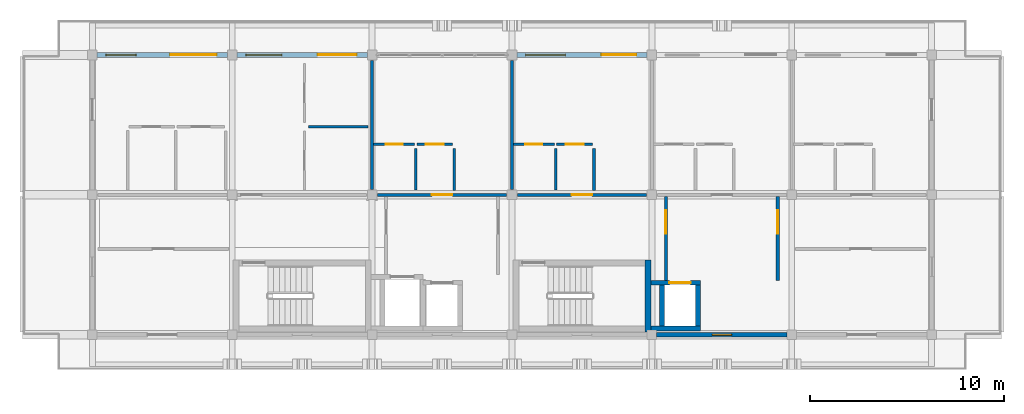
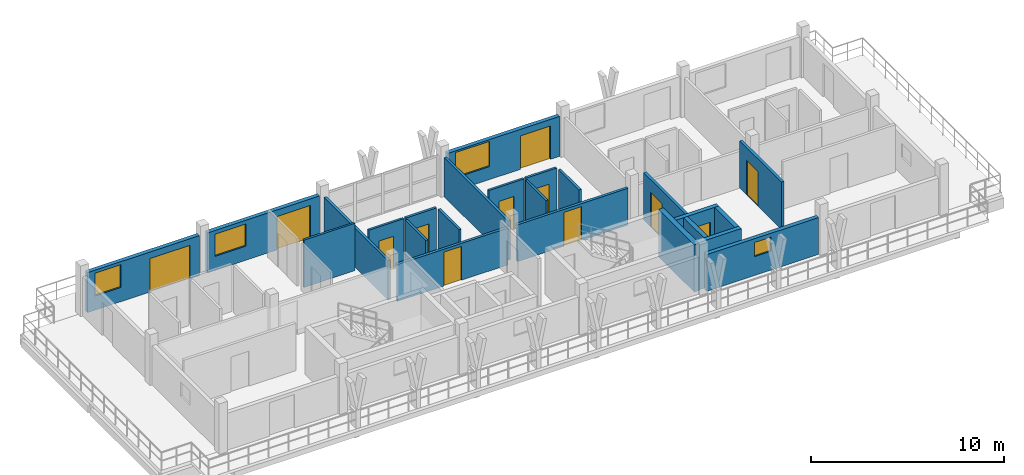
# One storey, part 5 of 9: 24 walls, 12 doors, 4 windows, 16 openings.
"""IFC4 building model written with IfcOpenShell, lengths in metres."""

import ifcopenshell
import ifcopenshell.guid

model = None  # the IFC model being written
_history = None  # IfcOwnerHistory: only IFC2X3 demands one
_inside = {}  # id of a spatial element -> (the spatial element, [elements in it])
_under = {}  # id of a project, library or spatial element -> (it, [spatial elements below it])
_declared = {}  # id of a project -> (the project, [libraries it declares])
_typed = {}  # id of a type object -> (the type object, [elements of that type])
_made_of = {}  # id of a material, layer set ... -> (it, [elements and type objects made of it])


def new_model(schema):
    """Start an empty IFC model of exactly this schema.

    Asked for "IFC4X3", IfcOpenShell would pick the latest addendum, in which some entities
    have other attributes; the version numbers below select the first issue.
    IFC2X3 requires an IfcOwnerHistory on every rooted entity: one is made here for all.
    """
    global model, _history
    if schema == "IFC4X3":
        model = ifcopenshell.file(schema_version=(4, 3, 0, 0))
    else:
        model = ifcopenshell.file(schema=schema)
    _inside.clear()
    _under.clear()
    _declared.clear()
    _typed.clear()
    _made_of.clear()
    _history = None
    if model.schema == "IFC2X3":
        org = make("IfcOrganization", Name="unknown")
        user = make(
            "IfcPersonAndOrganization",
            ThePerson=make("IfcPerson", FamilyName="unknown"),
            TheOrganization=org,
        )
        app = make(
            "IfcApplication",
            ApplicationDeveloper=org,
            Version="unknown",
            ApplicationFullName="unknown",
            ApplicationIdentifier="unknown",
        )
        _history = make(
            "IfcOwnerHistory",
            OwningUser=user,
            OwningApplication=app,
            ChangeAction="ADDED",
            CreationDate=0,
        )
    return model


def make(cls, **values):
    """One entity of the class cls with the attributes given. An attribute that is None is left unset."""
    return model.create_entity(
        cls, **{name: value for name, value in values.items() if value is not None}
    )


def rooted(cls, **values):
    """An entity with a GlobalId (a new one), such as an element, a storey or a relation."""
    return make(cls, GlobalId=ifcopenshell.guid.new(), OwnerHistory=_history, **values)


def si_unit(unit_type, name, prefix=None):
    """IfcSIUnit, for example si_unit("LENGTHUNIT", "METRE", prefix="MILLI")."""
    return make("IfcSIUnit", UnitType=unit_type, Prefix=prefix, Name=name)


def assignment(units):
    """IfcUnitAssignment: the units of a project."""
    return None if units is None else make("IfcUnitAssignment", Units=units)


def point(xyz):
    """IfcCartesianPoint."""
    return None if xyz is None else make("IfcCartesianPoint", Coordinates=xyz)


def direction(xyz):
    """IfcDirection."""
    return None if xyz is None else make("IfcDirection", DirectionRatios=xyz)


def frame(location, z_axis=None, x_axis=None):
    """IfcAxis2Placement3D, a coordinate frame: its origin and axes. An axis left out is left unset."""
    return make(
        "IfcAxis2Placement3D",
        Location=point(location),
        Axis=direction(z_axis),
        RefDirection=direction(x_axis),
    )


def frame_2d(location, x_axis=None):
    """IfcAxis2Placement2D, a coordinate frame in the plane: its origin and x axis."""
    return make(
        "IfcAxis2Placement2D", Location=point(location), RefDirection=direction(x_axis)
    )


def origin():
    """The frame at (0, 0, 0) with its axes left unset."""
    return frame((0.0, 0.0, 0.0))


def place(relative_to, where):
    """IfcLocalPlacement: puts the frame where relative to a parent placement (None: the world)."""
    return make(
        "IfcLocalPlacement", PlacementRelTo=relative_to, RelativePlacement=where
    )


def context(
    kind, dimensions, precision=None, world=None, true_north=None, identifier=None
):
    """IfcGeometricRepresentationContext, for example the 3D "Model" context."""
    return make(
        "IfcGeometricRepresentationContext",
        ContextIdentifier=identifier,
        ContextType=kind,
        CoordinateSpaceDimension=dimensions,
        Precision=precision,
        WorldCoordinateSystem=world,
        TrueNorth=true_north,
    )


def subcontext(parent, identifier, kind, view, scale=None):
    """IfcGeometricRepresentationSubContext, for example "Body" below "Model"."""
    return make(
        "IfcGeometricRepresentationSubContext",
        ContextIdentifier=identifier,
        ContextType=kind,
        ParentContext=parent,
        TargetScale=scale,
        TargetView=view,
    )


def project(units=None, contexts=None):
    """IfcProject with its units and contexts."""
    return rooted(
        "IfcProject",
        Name="project",
        RepresentationContexts=contexts,
        UnitsInContext=assignment(units),
    )


def spatial(cls, under=None, at=None, **own):
    """A site, building, storey or space (cls), placed at a placement, below another one or the project."""
    s = rooted(cls, ObjectPlacement=at, **own)
    if under is not None:
        _under.setdefault(under.id(), (under, []))[1].append(s)
    return s


def profile(cls, at=None, kind="AREA", **sizes):
    """A parametric profile (cls). Its sizes go by their IFC names, for example OverallWidth=200.0."""
    return make(cls, ProfileType=kind, Position=at, **sizes)


def rectangle(**sizes):
    """IfcRectangleProfileDef."""
    return profile("IfcRectangleProfileDef", **sizes)


def extrude(swept, where, along, depth):
    """IfcExtrudedAreaSolid: the profile swept, set in the frame where, extruded along a direction by depth."""
    return make(
        "IfcExtrudedAreaSolid",
        SweptArea=swept,
        Position=where,
        ExtrudedDirection=direction(along),
        Depth=depth,
    )


def shape(context_of_items, identifier, shape_type, items):
    """IfcShapeRepresentation: the items that make up one representation, for example the "Body"."""
    return make(
        "IfcShapeRepresentation",
        ContextOfItems=context_of_items,
        RepresentationIdentifier=identifier,
        RepresentationType=shape_type,
        Items=items,
    )


def material(Name=None, Category=None):
    """IfcMaterial."""
    return make("IfcMaterial", Name=Name, Category=Category)


def layer(
    of_material, thickness, ventilated=None, Name=None, Category=None, Priority=None
):
    """IfcMaterialLayer: one layer of a wall or slab, of a material (None: an air gap)."""
    return make(
        "IfcMaterialLayer",
        Material=of_material,
        LayerThickness=thickness,
        IsVentilated=ventilated,
        Name=Name,
        Category=Category,
        Priority=Priority,
    )


def layer_set(layers, Name=None):
    """IfcMaterialLayerSet."""
    return make("IfcMaterialLayerSet", MaterialLayers=layers, LayerSetName=Name)


def made_of(thing, what):
    """Note that an element or type object is made of a material, layer set ...; save() writes the relation."""
    if what is not None:
        _made_of.setdefault(what.id(), (what, []))[1].append(thing)
    return thing


def type_object(cls, material=None, **own):
    """A type object (cls), such as IfcWallType, which elements share."""
    return made_of(rooted(cls, **own), material)


def element(
    cls,
    number,
    at=None,
    inside=None,
    cuts=None,
    type_object=None,
    material=None,
    context=None,
    identifier="Body",
    shape_type=None,
    held_by="IfcProductDefinitionShape",
    body=None,
    shapes=None,
    **own,
):
    """One element of the class cls, such as IfcWall. Its Tag is "e" and its number.

    at: its placement. inside: the storey or other place that contains it. cuts: it is an
    opening in that element (IfcRelVoidsElement). A single representation is given by context,
    identifier, shape_type and body (its items); several are given by shapes. held_by: the class
    of the entity that holds the representations. save() writes the other relations.
    """
    e = rooted(cls, Tag="e%d" % number, ObjectPlacement=at, **own)
    if body is not None:
        shapes = [shape(context, identifier, shape_type, body)]
    if shapes is not None:
        e.Representation = make(held_by, Representations=shapes)
    if inside is not None:
        _inside.setdefault(inside.id(), (inside, []))[1].append(e)
    if cuts is not None:
        rooted(
            "IfcRelVoidsElement", RelatingBuildingElement=cuts, RelatedOpeningElement=e
        )
    if type_object is not None:
        _typed.setdefault(type_object.id(), (type_object, []))[1].append(e)
    return made_of(e, material)


def fill(opening, filler):
    """IfcRelFillsElement: the door or window that sits in an opening."""
    return rooted(
        "IfcRelFillsElement",
        RelatingOpeningElement=opening,
        RelatedBuildingElement=filler,
    )


def aggregate(whole, parts):
    """IfcRelAggregates: a whole, such as a stair, and the parts it consists of."""
    return rooted("IfcRelAggregates", RelatingObject=whole, RelatedObjects=parts)


def save(model, path):
    """Write the relations noted so far, then the file.

    IfcRelAggregates (storeys below a building ...), IfcRelContainedInSpatialStructure (elements
    in a storey), IfcRelDefinesByType, IfcRelAssociatesMaterial and IfcRelDeclares: one each for
    every whole, place, type object, material and project.
    """
    for whole, parts in _under.values():
        aggregate(whole, parts)
    for where, things in _inside.values():
        rooted(
            "IfcRelContainedInSpatialStructure",
            RelatedElements=things,
            RelatingStructure=where,
        )
    for kind, things in _typed.values():
        rooted("IfcRelDefinesByType", RelatedObjects=things, RelatingType=kind)
    for what, things in _made_of.values():
        rooted("IfcRelAssociatesMaterial", RelatedObjects=things, RelatingMaterial=what)
    for by, libraries in _declared.values():
        rooted("IfcRelDeclares", RelatingContext=by, RelatedDefinitions=libraries)
    model.write(path)


model = new_model("IFC4")

# Units and contexts
model_context = context("Model", 3, precision=1e-05, world=origin(), true_north=direction((0.0, 1.0)))
body_context = subcontext(model_context, "Body", "Model", "MODEL_VIEW")
ifc_project = project(units=[si_unit("LENGTHUNIT", "METRE"), si_unit("AREAUNIT", "SQUARE_METRE"), si_unit("VOLUMEUNIT", "CUBIC_METRE"), si_unit("PLANEANGLEUNIT", "RADIAN"), si_unit("MASSUNIT", "GRAM", prefix="KILO")], contexts=[model_context])

# Site, building, storey
site_placement = place(None, origin())
site = spatial("IfcSite", under=ifc_project, at=site_placement, CompositionType="ELEMENT")
building_placement = place(site_placement, origin())
building = spatial("IfcBuilding", under=site, at=building_placement, Name="Suanplinth Sawtooth Commons", CompositionType="ELEMENT")
storey_placement = place(building_placement, frame((0.0, 0.0, 47.699951171875)))
storey = spatial("IfcBuildingStorey", under=building, at=storey_placement, Name="L14", CompositionType="ELEMENT", Elevation=47.699951171875)

# Wall
ifc_material_1 = material(Name="Concrete C40/50", Category="concrete")
ifc_layer_1 = layer(ifc_material_1, 0.300048828125, Name="Standard RC stair and lift core wall 300mm")
ifc_layer_set_1 = layer_set([ifc_layer_1], Name="Concrete C40/50")
wall_type_1 = type_object("IfcWallType", Name="W-CR02", PredefinedType="SHEAR", material=ifc_layer_set_1)
wall_1_placement = place(storey_placement, frame((64.60009765625, 108.14990234375, 0.0), z_axis=(0.0, 0.0, 1.0), x_axis=(0.0, 1.0, 0.0)))
element("IfcWall", 1, at=wall_1_placement, inside=storey, type_object=wall_type_1, Name="W-L14-C-A2-STE", PredefinedType="SHEAR", context=body_context, shape_type="SweptSolid", body=[
    extrude(rectangle(XDim=3.7001953125, YDim=0.300048828125, at=frame_2d((1.85009765625, 0.0))), origin(), (0.0, 0.0, 1.0), 3.0),
])

# Wall, openings, door, window
ifc_material_2 = material(Name="Precast concrete C40/50", Category="concrete")
ifc_layer_2 = layer(ifc_material_2, 0.239990234375, Name="Upper insulated precast facade wall 240mm")
ifc_layer_set_2 = layer_set([ifc_layer_2], Name="Precast concrete C40/50")
wall_type_2 = type_object("IfcWallType", Name="W-EX03", PredefinedType="ELEMENTEDWALL", material=ifc_layer_set_2)
wall_2_placement = place(storey_placement, frame((36.25, 122.39990234375, 0.0), z_axis=(0.0, 0.0, 1.0), x_axis=(1.0, 0.0, 0.0)))
wall_2 = element("IfcWall", 2, at=wall_2_placement, inside=storey, type_object=wall_type_2, Name="Facade Wall W-L14-A-N-0", PredefinedType="ELEMENTEDWALL", context=body_context, shape_type="SweptSolid", body=[
    extrude(rectangle(XDim=6.699951171875, YDim=0.239990234375, at=frame_2d((3.35009765625, 0.0))), origin(), (0.0, 0.0, 1.0), 2.53515625),
])
opening_1_placement = place(wall_2_placement, frame((3.75, 0.0, 0.0)))
opening_1 = element("IfcOpeningElement", 3, at=opening_1_placement, cuts=wall_2, Name="Opening ED0845", PredefinedType="OPENING", context=body_context, shape_type="SweptSolid", body=[
    extrude(rectangle(XDim=2.39990234375, YDim=2.1201171875, at=frame_2d((1.199951171875, 1.06005859375))), frame((0.0, 0.134765625, 0.0), z_axis=(0.0, -1.0, 0.0), x_axis=(1.0, 0.0, 0.0)), (0.0, 0.0, 1.0), 0.269775390625),
])
opening_2_placement = place(wall_2_placement, frame((0.449951171875, 0.0, 0.89990234375)))
opening_2 = element("IfcOpeningElement", 4, at=opening_2_placement, cuts=wall_2, Name="Opening W0927", PredefinedType="OPENING", context=body_context, shape_type="SweptSolid", body=[
    extrude(rectangle(XDim=1.550048828125, YDim=1.449951171875, at=frame_2d((0.77490234375, 0.72509765625))), frame((0.0, 0.134765625, 0.0), z_axis=(0.0, -1.0, 0.0), x_axis=(1.0, 0.0, 0.0)), (0.0, 0.0, 1.0), 0.269775390625),
])
ifc_material_3 = material(Name="Anodized aluminium and low-E glass", Category="aluminium")
door_type_1 = type_object("IfcDoorType", Name="SD-04", OperationType="DOUBLE_DOOR_SLIDING", PredefinedType="DOOR", material=ifc_material_3)
door_1_placement = place(opening_1_placement, frame((2.39990234375, 0.0, 0.0), z_axis=(0.0, 0.0, 1.0), x_axis=(-1.0, 0.0, 0.0)))
door_1 = element("IfcDoor", 5, at=door_1_placement, inside=storey, type_object=door_type_1, Name="Balcony Sliding Door L14-A-N-0", OperationType="DOUBLE_DOOR_SLIDING", OverallHeight=2.1201171875, OverallWidth=2.39990234375, PredefinedType="DOOR", context=body_context, shape_type="SweptSolid", body=[
    extrude(rectangle(XDim=2.39990234375, YDim=2.1201171875, at=frame_2d((1.199951171875, 1.06005859375))), frame((0.0, 0.02490234375, 0.0), z_axis=(0.0, -1.0, 0.0), x_axis=(1.0, 0.0, 0.0)), (0.0, 0.0, 1.0), 0.050048828125),
])
fill(opening_1, door_1)
ifc_material_4 = material(Name="Thermally broken aluminium and low-E double glazing", Category="aluminium")
window_type_1 = type_object("IfcWindowType", Name="WN-22", PartitioningType="DOUBLE_PANEL_VERTICAL", PredefinedType="WINDOW", material=ifc_material_4)
window_1_placement = place(opening_2_placement, origin())
window_1 = element("IfcWindow", 6, at=window_1_placement, inside=storey, type_object=window_type_1, Name="Window L14-A-N-0", OverallHeight=1.449951171875, OverallWidth=1.550048828125, PartitioningType="DOUBLE_PANEL_VERTICAL", PredefinedType="WINDOW", context=body_context, shape_type="SweptSolid", body=[
    extrude(rectangle(XDim=1.550048828125, YDim=1.449951171875, at=frame_2d((0.77490234375, 0.72509765625))), frame((0.0, 0.030029296875, 0.0), z_axis=(0.0, -1.0, 0.0), x_axis=(1.0, 0.0, 0.0)), (0.0, 0.0, 1.0), 0.06005859375),
])
fill(opening_2, window_1)

wall_3_placement = place(storey_placement, frame((43.449951171875, 122.39990234375, 0.0), z_axis=(0.0, 0.0, 1.0), x_axis=(1.0, 0.0, 0.0)))
wall_3 = element("IfcWall", 7, at=wall_3_placement, inside=storey, type_object=wall_type_2, Name="Facade Wall W-L14-A-N-1", PredefinedType="ELEMENTEDWALL", context=body_context, shape_type="SweptSolid", body=[
    extrude(rectangle(XDim=6.699951171875, YDim=0.239990234375, at=frame_2d((3.35009765625, 0.0))), origin(), (0.0, 0.0, 1.0), 2.53515625),
])
opening_3_placement = place(wall_3_placement, frame((4.14990234375, 0.0, 0.0)))
opening_3 = element("IfcOpeningElement", 8, at=opening_3_placement, cuts=wall_3, Name="Opening ED0847", PredefinedType="OPENING", context=body_context, shape_type="SweptSolid", body=[
    extrude(rectangle(XDim=2.0, YDim=2.1201171875, at=frame_2d((1.0, 1.06005859375))), frame((0.0, 0.134765625, 0.0), z_axis=(0.0, -1.0, 0.0), x_axis=(1.0, 0.0, 0.0)), (0.0, 0.0, 1.0), 0.269775390625),
])
opening_4_placement = place(wall_3_placement, frame((0.449951171875, 0.0, 0.89990234375)))
opening_4 = element("IfcOpeningElement", 9, at=opening_4_placement, cuts=wall_3, Name="Opening W0928", PredefinedType="OPENING", context=body_context, shape_type="SweptSolid", body=[
    extrude(rectangle(XDim=1.85009765625, YDim=1.39990234375, at=frame_2d((0.925048828125, 0.699951171875))), frame((0.0, 0.134765625, 0.0), z_axis=(0.0, -1.0, 0.0), x_axis=(1.0, 0.0, 0.0)), (0.0, 0.0, 1.0), 0.269775390625),
])
door_type_2 = type_object("IfcDoorType", Name="SD-06", OperationType="DOUBLE_DOOR_SLIDING", PredefinedType="DOOR", material=ifc_material_3)
door_2_placement = place(opening_3_placement, frame((2.0, 0.0, 0.0), z_axis=(0.0, 0.0, 1.0), x_axis=(-1.0, 0.0, 0.0)))
door_2 = element("IfcDoor", 10, at=door_2_placement, inside=storey, type_object=door_type_2, Name="Balcony Sliding Door L14-A-N-1", OperationType="DOUBLE_DOOR_SLIDING", OverallHeight=2.1201171875, OverallWidth=2.0, PredefinedType="DOOR", context=body_context, shape_type="SweptSolid", body=[
    extrude(rectangle(XDim=2.0, YDim=2.1201171875, at=frame_2d((1.0, 1.06005859375))), frame((0.0, 0.02490234375, 0.0), z_axis=(0.0, -1.0, 0.0), x_axis=(1.0, 0.0, 0.0)), (0.0, 0.0, 1.0), 0.050048828125),
])
fill(opening_3, door_2)
window_type_2 = type_object("IfcWindowType", Name="WN-23", PartitioningType="DOUBLE_PANEL_VERTICAL", PredefinedType="WINDOW", material=ifc_material_4)
window_2_placement = place(opening_4_placement, origin())
window_2 = element("IfcWindow", 11, at=window_2_placement, inside=storey, type_object=window_type_2, Name="Window L14-A-N-1", OverallHeight=1.39990234375, OverallWidth=1.85009765625, PartitioningType="DOUBLE_PANEL_VERTICAL", PredefinedType="WINDOW", context=body_context, shape_type="SweptSolid", body=[
    extrude(rectangle(XDim=1.85009765625, YDim=1.39990234375, at=frame_2d((0.925048828125, 0.699951171875))), frame((0.0, 0.030029296875, 0.0), z_axis=(0.0, -1.0, 0.0), x_axis=(1.0, 0.0, 0.0)), (0.0, 0.0, 1.0), 0.06005859375),
])
fill(opening_4, window_2)

wall_4_placement = place(storey_placement, frame((57.85009765625, 122.39990234375, 0.0), z_axis=(0.0, 0.0, 1.0), x_axis=(1.0, 0.0, 0.0)))
wall_4 = element("IfcWall", 12, at=wall_4_placement, inside=storey, type_object=wall_type_2, Name="Facade Wall W-L14-A-N-3", PredefinedType="ELEMENTEDWALL", context=body_context, shape_type="SweptSolid", body=[
    extrude(rectangle(XDim=6.699951171875, YDim=0.239990234375, at=frame_2d((3.35009765625, 0.0))), origin(), (0.0, 0.0, 1.0), 2.53515625),
])
opening_5_placement = place(wall_4_placement, frame((4.35009765625, 0.0, 0.0)))
opening_5 = element("IfcOpeningElement", 13, at=opening_5_placement, cuts=wall_4, Name="Opening ED0848", PredefinedType="OPENING", context=body_context, shape_type="SweptSolid", body=[
    extrude(rectangle(XDim=1.800048828125, YDim=2.1201171875, at=frame_2d((0.89990234375, 1.06005859375))), frame((0.0, 0.134765625, 0.0), z_axis=(0.0, -1.0, 0.0), x_axis=(1.0, 0.0, 0.0)), (0.0, 0.0, 1.0), 0.269775390625),
])
opening_6_placement = place(wall_4_placement, frame((0.449951171875, 0.0, 0.824951171875)))
opening_6 = element("IfcOpeningElement", 14, at=opening_6_placement, cuts=wall_4, Name="Opening W0931", PredefinedType="OPENING", context=body_context, shape_type="SweptSolid", body=[
    extrude(rectangle(XDim=2.050048828125, YDim=1.60009765625, at=frame_2d((1.02490234375, 0.800048828125))), frame((0.0, 0.134765625, 0.0), z_axis=(0.0, -1.0, 0.0), x_axis=(1.0, 0.0, 0.0)), (0.0, 0.0, 1.0), 0.269775390625),
])
door_type_3 = type_object("IfcDoorType", Name="SD-01", OperationType="SLIDING_TO_LEFT", PredefinedType="DOOR", material=ifc_material_3)
door_3_placement = place(opening_5_placement, frame((1.800048828125, 0.0, 0.0), z_axis=(0.0, 0.0, 1.0), x_axis=(-1.0, 0.0, 0.0)))
door_3 = element("IfcDoor", 15, at=door_3_placement, inside=storey, type_object=door_type_3, Name="Balcony Sliding Door L14-A-N-3", OperationType="SLIDING_TO_LEFT", OverallHeight=2.1201171875, OverallWidth=1.800048828125, PredefinedType="DOOR", context=body_context, shape_type="SweptSolid", body=[
    extrude(rectangle(XDim=1.800048828125, YDim=2.1201171875, at=frame_2d((0.89990234375, 1.06005859375))), frame((0.0, 0.02490234375, 0.0), z_axis=(0.0, -1.0, 0.0), x_axis=(1.0, 0.0, 0.0)), (0.0, 0.0, 1.0), 0.050048828125),
])
fill(opening_5, door_3)
window_type_3 = type_object("IfcWindowType", Name="WN-25", PartitioningType="DOUBLE_PANEL_VERTICAL", PredefinedType="WINDOW", material=ifc_material_4)
window_3_placement = place(opening_6_placement, origin())
window_3 = element("IfcWindow", 16, at=window_3_placement, inside=storey, type_object=window_type_3, Name="Window L14-A-N-3", OverallHeight=1.60009765625, OverallWidth=2.050048828125, PartitioningType="DOUBLE_PANEL_VERTICAL", PredefinedType="WINDOW", context=body_context, shape_type="SweptSolid", body=[
    extrude(rectangle(XDim=2.050048828125, YDim=1.60009765625, at=frame_2d((1.02490234375, 0.800048828125))), frame((0.0, 0.030029296875, 0.0), z_axis=(0.0, -1.0, 0.0), x_axis=(1.0, 0.0, 0.0)), (0.0, 0.0, 1.0), 0.06005859375),
])
fill(opening_6, window_3)

# Wall, opening, window
wall_5_placement = place(storey_placement, frame((65.050048828125, 108.0, 0.0), z_axis=(0.0, 0.0, 1.0), x_axis=(1.0, 0.0, 0.0)))
wall_5 = element("IfcWall", 17, at=wall_5_placement, inside=storey, type_object=wall_type_2, Name="Courtyard Wall W-L14-A-S-4", PredefinedType="ELEMENTEDWALL", context=body_context, shape_type="SweptSolid", body=[
    extrude(rectangle(XDim=6.699951171875, YDim=0.239990234375, at=frame_2d((3.35009765625, 0.0))), origin(), (0.0, 0.0, 1.0), 2.3349609375),
])
opening_7_placement = place(wall_5_placement, frame((2.85009765625, 0.0, 1.199951171875)))
opening_7 = element("IfcOpeningElement", 18, at=opening_7_placement, cuts=wall_5, Name="Opening W0934", PredefinedType="OPENING", context=body_context, shape_type="SweptSolid", body=[
    extrude(rectangle(XDim=1.0, YDim=0.89990234375, at=frame_2d((0.5, 0.449951171875))), frame((0.0, 0.134765625, 0.0), z_axis=(0.0, -1.0, 0.0), x_axis=(1.0, 0.0, 0.0)), (0.0, 0.0, 1.0), 0.269775390625),
])
window_type_4 = type_object("IfcWindowType", Name="WN-12", PartitioningType="SINGLE_PANEL", PredefinedType="WINDOW", material=ifc_material_4)
window_4_placement = place(opening_7_placement, origin())
window_4 = element("IfcWindow", 19, at=window_4_placement, inside=storey, type_object=window_type_4, Name="Core Daylight Window L14-A-4", OverallHeight=0.89990234375, OverallWidth=1.0, PartitioningType="SINGLE_PANEL", PredefinedType="WINDOW", context=body_context, shape_type="SweptSolid", body=[
    extrude(rectangle(XDim=1.0, YDim=0.89990234375, at=frame_2d((0.5, 0.449951171875))), frame((0.0, 0.030029296875, 0.0), z_axis=(0.0, -1.0, 0.0), x_axis=(1.0, 0.0, 0.0)), (0.0, 0.0, 1.0), 0.06005859375),
])
fill(opening_7, window_4)

# Wall, opening, door
ifc_layer_3 = layer(ifc_material_2, 0.159912109375, Name="Fire-rated corridor and lobby wall 160mm")
ifc_layer_set_3 = layer_set([ifc_layer_3], Name="Precast concrete C40/50")
wall_type_3 = type_object("IfcWallType", Name="W-FW01", PredefinedType="PARTITIONING", material=ifc_layer_set_3)
wall_6_placement = place(storey_placement, frame((65.52001953125, 110.800048828125, 0.0), z_axis=(0.0, 0.0, 1.0), x_axis=(0.0, 1.0, 0.0)))
wall_6 = element("IfcWall", 20, at=wall_6_placement, inside=storey, type_object=wall_type_3, Name="W-L14-C-A2-LOB-W", PredefinedType="PARTITIONING", context=body_context, shape_type="SweptSolid", body=[
    extrude(rectangle(XDim=4.320068359375, YDim=0.159912109375, at=frame_2d((2.16015625, 0.0))), origin(), (0.0, 0.0, 1.0), 3.0),
])
opening_8_placement = place(wall_6_placement, frame((2.39990234375, 0.0, 0.0)))
opening_8 = element("IfcOpeningElement", 21, at=opening_8_placement, cuts=wall_6, Name="Opening FD0147", PredefinedType="OPENING", context=body_context, shape_type="SweptSolid", body=[
    extrude(rectangle(XDim=1.199951171875, YDim=2.199951171875, at=frame_2d((0.60009765625, 1.10009765625))), frame((0.0, 0.0947265625, 0.0), z_axis=(0.0, -1.0, 0.0), x_axis=(1.0, 0.0, 0.0)), (0.0, 0.0, 1.0), 0.189697265625),
])
ifc_material_5 = material(Name="Teak hardwood fire-rated door assembly", Category="wood")
door_type_4 = type_object("IfcDoorType", Name="FD-02", OperationType="NOTDEFINED", PredefinedType="DOOR", material=ifc_material_5)
door_4_placement = place(opening_8_placement, origin())
door_4 = element("IfcDoor", 22, at=door_4_placement, inside=storey, type_object=door_type_4, Name="Lobby Fire Door FD0147", OperationType="SINGLE_SWING_LEFT", OverallHeight=2.199951171875, OverallWidth=1.199951171875, PredefinedType="DOOR", context=body_context, shape_type="SweptSolid", body=[
    extrude(rectangle(XDim=1.199951171875, YDim=2.199951171875, at=frame_2d((0.60009765625, 1.10009765625))), frame((0.0, 0.02490234375, 0.0), z_axis=(0.0, -1.0, 0.0), x_axis=(1.0, 0.0, 0.0)), (0.0, 0.0, 1.0), 0.050048828125),
])
fill(opening_8, door_4)

wall_7_placement = place(storey_placement, frame((71.280029296875, 110.800048828125, 0.0), z_axis=(0.0, 0.0, 1.0), x_axis=(0.0, 1.0, 0.0)))
wall_7 = element("IfcWall", 23, at=wall_7_placement, inside=storey, type_object=wall_type_3, Name="W-L14-C-A2-LOB-E", PredefinedType="PARTITIONING", context=body_context, shape_type="SweptSolid", body=[
    extrude(rectangle(XDim=4.320068359375, YDim=0.159912109375, at=frame_2d((2.16015625, 0.0))), origin(), (0.0, 0.0, 1.0), 3.0),
])
opening_9_placement = place(wall_7_placement, frame((2.39990234375, 0.0, 0.0)))
opening_9 = element("IfcOpeningElement", 24, at=opening_9_placement, cuts=wall_7, Name="Opening FD0148", PredefinedType="OPENING", context=body_context, shape_type="SweptSolid", body=[
    extrude(rectangle(XDim=1.199951171875, YDim=2.199951171875, at=frame_2d((0.60009765625, 1.10009765625))), frame((0.0, 0.0947265625, 0.0), z_axis=(0.0, -1.0, 0.0), x_axis=(1.0, 0.0, 0.0)), (0.0, 0.0, 1.0), 0.189697265625),
])
door_5_placement = place(opening_9_placement, frame((1.199951171875, 0.0, 0.0), z_axis=(0.0, 0.0, 1.0), x_axis=(-1.0, 0.0, 0.0)))
door_5 = element("IfcDoor", 25, at=door_5_placement, inside=storey, type_object=door_type_4, Name="Lobby Fire Door FD0148", OperationType="SINGLE_SWING_RIGHT", OverallHeight=2.199951171875, OverallWidth=1.199951171875, PredefinedType="DOOR", context=body_context, shape_type="SweptSolid", body=[
    extrude(rectangle(XDim=1.199951171875, YDim=2.199951171875, at=frame_2d((0.60009765625, 1.10009765625))), frame((0.0, 0.02490234375, 0.0), z_axis=(0.0, -1.0, 0.0), x_axis=(1.0, 0.0, 0.0)), (0.0, 0.0, 1.0), 0.050048828125),
])
fill(opening_9, door_5)

wall_8_placement = place(storey_placement, frame((50.679931640625, 115.199951171875, 0.0), z_axis=(0.0, 0.0, 1.0), x_axis=(1.0, 0.0, 0.0)))
wall_8 = element("IfcWall", 26, at=wall_8_placement, inside=storey, type_object=wall_type_3, Name="W-A-L14-U02-COR", PredefinedType="PARTITIONING", context=body_context, shape_type="SweptSolid", body=[
    extrude(rectangle(XDim=6.64013671875, YDim=0.159912109375, at=frame_2d((3.320068359375, 0.0))), origin(), (0.0, 0.0, 1.0), 2.3349609375),
])
opening_10_placement = place(wall_8_placement, frame((2.794921875, 0.0, 0.0)))
opening_10 = element("IfcOpeningElement", 27, at=opening_10_placement, cuts=wall_8, Name="Opening FD2060", PredefinedType="OPENING", context=body_context, shape_type="SweptSolid", body=[
    extrude(rectangle(XDim=1.050048828125, YDim=2.14990234375, at=frame_2d((0.52490234375, 1.074951171875))), frame((0.0, 0.0947265625, 0.0), z_axis=(0.0, -1.0, 0.0), x_axis=(1.0, 0.0, 0.0)), (0.0, 0.0, 1.0), 0.189697265625),
])
door_type_5 = type_object("IfcDoorType", Name="FD-04", OperationType="NOTDEFINED", PredefinedType="DOOR", material=ifc_material_5)
door_6_placement = place(opening_10_placement, origin())
door_6 = element("IfcDoor", 28, at=door_6_placement, inside=storey, type_object=door_type_5, Name="Unit Entrance Door FD2060", OperationType="SINGLE_SWING_RIGHT", OverallHeight=2.14990234375, OverallWidth=1.050048828125, PredefinedType="DOOR", context=body_context, shape_type="SweptSolid", body=[
    extrude(rectangle(XDim=1.050048828125, YDim=2.14990234375, at=frame_2d((0.52490234375, 1.074951171875))), frame((0.0, 0.02490234375, 0.0), z_axis=(0.0, -1.0, 0.0), x_axis=(1.0, 0.0, 0.0)), (0.0, 0.0, 1.0), 0.050048828125),
])
fill(opening_10, door_6)

wall_9_placement = place(storey_placement, frame((57.8798828125, 115.199951171875, 0.0), z_axis=(0.0, 0.0, 1.0), x_axis=(1.0, 0.0, 0.0)))
wall_9 = element("IfcWall", 29, at=wall_9_placement, inside=storey, type_object=wall_type_3, Name="W-A-L14-U03-COR", PredefinedType="PARTITIONING", context=body_context, shape_type="SweptSolid", body=[
    extrude(rectangle(XDim=6.64013671875, YDim=0.159912109375, at=frame_2d((3.320068359375, 0.0))), origin(), (0.0, 0.0, 1.0), 2.3349609375),
])
opening_11_placement = place(wall_9_placement, frame((2.794921875, 0.0, 0.0)))
opening_11 = element("IfcOpeningElement", 30, at=opening_11_placement, cuts=wall_9, Name="Opening FD2063", PredefinedType="OPENING", context=body_context, shape_type="SweptSolid", body=[
    extrude(rectangle(XDim=1.050048828125, YDim=2.14990234375, at=frame_2d((0.52490234375, 1.074951171875))), frame((0.0, 0.0947265625, 0.0), z_axis=(0.0, -1.0, 0.0), x_axis=(1.0, 0.0, 0.0)), (0.0, 0.0, 1.0), 0.189697265625),
])
door_7_placement = place(opening_11_placement, origin())
door_7 = element("IfcDoor", 31, at=door_7_placement, inside=storey, type_object=door_type_5, Name="Unit Entrance Door FD2063", OperationType="SINGLE_SWING_LEFT", OverallHeight=2.14990234375, OverallWidth=1.050048828125, PredefinedType="DOOR", context=body_context, shape_type="SweptSolid", body=[
    extrude(rectangle(XDim=1.050048828125, YDim=2.14990234375, at=frame_2d((0.52490234375, 1.074951171875))), frame((0.0, 0.02490234375, 0.0), z_axis=(0.0, -1.0, 0.0), x_axis=(1.0, 0.0, 0.0)), (0.0, 0.0, 1.0), 0.050048828125),
])
fill(opening_11, door_7)

# Walls
ifc_layer_4 = layer(ifc_material_2, 0.14990234375, Name="Acoustic precast party demising wall 150mm")
ifc_layer_set_4 = layer_set([ifc_layer_4], Name="Precast concrete C40/50")
wall_type_4 = type_object("IfcWallType", Name="W-FW02", PredefinedType="PARTITIONING", material=ifc_layer_set_4)
for number, where, z_axis, x_axis, name in (
    (32, (50.39990234375, 115.47998046875, 0.0), (0.0, 0.0, 1.0), (0.0, 1.0, 0.0), "W-A-L14-U01-PTY"),
    (33, (57.60009765625, 115.47998046875, 0.0), (0.0, 0.0, 1.0), (0.0, 1.0, 0.0), "W-A-L14-U02-PTY"),
):
    element("IfcWall", number, at=place(storey_placement, frame(where, z_axis=z_axis, x_axis=x_axis)), inside=storey, type_object=wall_type_4, Name=name, PredefinedType="PARTITIONING", context=body_context, shape_type="SweptSolid", body=[
        extrude(rectangle(XDim=6.64013671875, YDim=0.14990234375, at=frame_2d((3.320068359375, 0.0))), origin(), (0.0, 0.0, 1.0), 2.485107421875),
    ])

# Wall, opening, door
ifc_material_6 = material(Name="Gypsum plasterboard on steel stud", Category="steel")
ifc_layer_5 = layer(ifc_material_6, 0.139892578125, Name="Fire-rated kitchen partition 140mm")
ifc_layer_set_5 = layer_set([ifc_layer_5], Name="Gypsum plasterboard on steel stud")
wall_type_5 = type_object("IfcWallType", Name="W-PT01", PredefinedType="PARTITIONING", material=ifc_layer_set_5)
wall_10_placement = place(storey_placement, frame((52.699951171875, 117.800048828125, 0.0), z_axis=(0.0, 0.0, 1.0), x_axis=(1.0, 0.0, 0.0)))
wall_10 = element("IfcWall", 34, at=wall_10_placement, inside=storey, type_object=wall_type_5, Name="W-A-L14-U02-KIT1", PredefinedType="PARTITIONING", context=body_context, shape_type="SweptSolid", body=[
    extrude(rectangle(XDim=1.85009765625, YDim=0.139892578125, at=frame_2d((0.925048828125, 0.0))), origin(), (0.0, 0.0, 1.0), 3.0),
])
opening_12_placement = place(wall_10_placement, frame((0.4599609375, 0.0, 0.0)))
opening_12 = element("IfcOpeningElement", 35, at=opening_12_placement, cuts=wall_10, Name="Opening D2062", PredefinedType="OPENING", context=body_context, shape_type="SweptSolid", body=[
    extrude(rectangle(XDim=0.929931640625, YDim=2.139892578125, at=frame_2d((0.46484375, 1.06982421875))), frame((0.0, 0.0849609375, 0.0), z_axis=(0.0, -1.0, 0.0), x_axis=(1.0, 0.0, 0.0)), (0.0, 0.0, 1.0), 0.169677734375),
])
ifc_material_7 = material(Name="Teak hardwood", Category="wood")
door_type_6 = type_object("IfcDoorType", Name="D-19", OperationType="NOTDEFINED", PredefinedType="DOOR", material=ifc_material_7)
door_8_placement = place(opening_12_placement, frame((0.929931640625, 0.0, 0.0), z_axis=(0.0, 0.0, 1.0), x_axis=(-1.0, 0.0, 0.0)))
door_8 = element("IfcDoor", 36, at=door_8_placement, inside=storey, type_object=door_type_6, Name="Kitchen Door D2062", OperationType="SINGLE_SWING_RIGHT", OverallHeight=2.139892578125, OverallWidth=0.929931640625, PredefinedType="DOOR", context=body_context, shape_type="SweptSolid", body=[
    extrude(rectangle(XDim=0.929931640625, YDim=2.139892578125, at=frame_2d((0.46484375, 1.06982421875))), frame((0.0, 0.02490234375, 0.0), z_axis=(0.0, -1.0, 0.0), x_axis=(1.0, 0.0, 0.0)), (0.0, 0.0, 1.0), 0.050048828125),
])
fill(opening_12, door_8)

# Wall
wall_11_placement = place(storey_placement, frame((54.6201171875, 115.429931640625, 0.0), z_axis=(0.0, 0.0, 1.0), x_axis=(0.0, 1.0, 0.0)))
element("IfcWall", 37, at=wall_11_placement, inside=storey, type_object=wall_type_5, Name="W-A-L14-U02-KIT2", PredefinedType="PARTITIONING", context=body_context, shape_type="SweptSolid", body=[
    extrude(rectangle(XDim=2.150146484375, YDim=0.139892578125, at=frame_2d((1.0751953125, 0.0))), origin(), (0.0, 0.0, 1.0), 3.0),
])

# Wall, opening, door
wall_12_placement = place(storey_placement, frame((59.89990234375, 117.800048828125, 0.0), z_axis=(0.0, 0.0, 1.0), x_axis=(1.0, 0.0, 0.0)))
wall_12 = element("IfcWall", 38, at=wall_12_placement, inside=storey, type_object=wall_type_5, Name="W-A-L14-U03-KIT1", PredefinedType="PARTITIONING", context=body_context, shape_type="SweptSolid", body=[
    extrude(rectangle(XDim=1.85009765625, YDim=0.139892578125, at=frame_2d((0.925048828125, 0.0))), origin(), (0.0, 0.0, 1.0), 3.0),
])
opening_13_placement = place(wall_12_placement, frame((0.4599609375, 0.0, 0.0)))
opening_13 = element("IfcOpeningElement", 39, at=opening_13_placement, cuts=wall_12, Name="Opening D2065", PredefinedType="OPENING", context=body_context, shape_type="SweptSolid", body=[
    extrude(rectangle(XDim=0.929931640625, YDim=2.139892578125, at=frame_2d((0.46484375, 1.06982421875))), frame((0.0, 0.0849609375, 0.0), z_axis=(0.0, -1.0, 0.0), x_axis=(1.0, 0.0, 0.0)), (0.0, 0.0, 1.0), 0.169677734375),
])
door_9_placement = place(opening_13_placement, frame((0.929931640625, 0.0, 0.0), z_axis=(0.0, 0.0, 1.0), x_axis=(-1.0, 0.0, 0.0)))
door_9 = element("IfcDoor", 40, at=door_9_placement, inside=storey, type_object=door_type_6, Name="Kitchen Door D2065", OperationType="SINGLE_SWING_LEFT", OverallHeight=2.139892578125, OverallWidth=0.929931640625, PredefinedType="DOOR", context=body_context, shape_type="SweptSolid", body=[
    extrude(rectangle(XDim=0.929931640625, YDim=2.139892578125, at=frame_2d((0.46484375, 1.06982421875))), frame((0.0, 0.02490234375, 0.0), z_axis=(0.0, -1.0, 0.0), x_axis=(1.0, 0.0, 0.0)), (0.0, 0.0, 1.0), 0.050048828125),
])
fill(opening_13, door_9)

# Wall
wall_13_placement = place(storey_placement, frame((61.820068359375, 115.429931640625, 0.0), z_axis=(0.0, 0.0, 1.0), x_axis=(0.0, 1.0, 0.0)))
element("IfcWall", 41, at=wall_13_placement, inside=storey, type_object=wall_type_5, Name="W-A-L14-U03-KIT2", PredefinedType="PARTITIONING", context=body_context, shape_type="SweptSolid", body=[
    extrude(rectangle(XDim=2.150146484375, YDim=0.139892578125, at=frame_2d((1.0751953125, 0.0))), origin(), (0.0, 0.0, 1.0), 3.0),
])

# Wall, opening, door
ifc_layer_6 = layer(ifc_material_6, 0.1298828125, Name="Moisture-resistant bathroom partition 130mm")
ifc_layer_set_6 = layer_set([ifc_layer_6], Name="Gypsum plasterboard on steel stud")
wall_type_6 = type_object("IfcWallType", Name="W-PT02", PredefinedType="PARTITIONING", material=ifc_layer_set_6)
wall_14_placement = place(storey_placement, frame((50.47998046875, 117.794921875, 0.0), z_axis=(0.0, 0.0, 1.0), x_axis=(1.0, 0.0, 0.0)))
wall_14 = element("IfcWall", 42, at=wall_14_placement, inside=storey, type_object=wall_type_6, Name="W-A-L14-U02-BTH1", PredefinedType="PARTITIONING", context=body_context, shape_type="SweptSolid", body=[
    extrude(rectangle(XDim=2.10009765625, YDim=0.1298828125, at=frame_2d((1.050048828125, 0.0))), origin(), (0.0, 0.0, 1.0), 3.0),
])
opening_14_placement = place(wall_14_placement, frame((0.610107421875, 0.0, 0.0)))
opening_14 = element("IfcOpeningElement", 43, at=opening_14_placement, cuts=wall_14, Name="Opening D2061", PredefinedType="OPENING", context=body_context, shape_type="SweptSolid", body=[
    extrude(rectangle(XDim=0.8798828125, YDim=2.10009765625, at=frame_2d((0.43994140625, 1.050048828125))), frame((0.0, 0.079833984375, 0.0), z_axis=(0.0, -1.0, 0.0), x_axis=(1.0, 0.0, 0.0)), (0.0, 0.0, 1.0), 0.15966796875),
])
door_type_7 = type_object("IfcDoorType", Name="D-14", OperationType="NOTDEFINED", PredefinedType="DOOR", material=ifc_material_7)
door_10_placement = place(opening_14_placement, frame((0.8798828125, 0.0, 0.0), z_axis=(0.0, 0.0, 1.0), x_axis=(-1.0, 0.0, 0.0)))
door_10 = element("IfcDoor", 44, at=door_10_placement, inside=storey, type_object=door_type_7, Name="Bathroom Door D2061", OperationType="SINGLE_SWING_LEFT", OverallHeight=2.10009765625, OverallWidth=0.8798828125, PredefinedType="DOOR", context=body_context, shape_type="SweptSolid", body=[
    extrude(rectangle(XDim=0.8798828125, YDim=2.10009765625, at=frame_2d((0.43994140625, 1.050048828125))), frame((0.0, 0.02490234375, 0.0), z_axis=(0.0, -1.0, 0.0), x_axis=(1.0, 0.0, 0.0)), (0.0, 0.0, 1.0), 0.050048828125),
])
fill(opening_14, door_10)

# Wall
wall_15_placement = place(storey_placement, frame((52.64501953125, 115.4599609375, 0.0), z_axis=(0.0, 0.0, 1.0), x_axis=(0.0, 1.0, 0.0)))
element("IfcWall", 45, at=wall_15_placement, inside=storey, type_object=wall_type_6, Name="W-A-L14-U02-BTH2", PredefinedType="PARTITIONING", context=body_context, shape_type="SweptSolid", body=[
    extrude(rectangle(XDim=2.130126953125, YDim=0.1298828125, at=frame_2d((1.06494140625, 0.0))), origin(), (0.0, 0.0, 1.0), 3.0),
])

# Wall, opening, door
wall_16_placement = place(storey_placement, frame((57.679931640625, 117.794921875, 0.0), z_axis=(0.0, 0.0, 1.0), x_axis=(1.0, 0.0, 0.0)))
wall_16 = element("IfcWall", 46, at=wall_16_placement, inside=storey, type_object=wall_type_6, Name="W-A-L14-U03-BTH1", PredefinedType="PARTITIONING", context=body_context, shape_type="SweptSolid", body=[
    extrude(rectangle(XDim=2.10009765625, YDim=0.1298828125, at=frame_2d((1.050048828125, 0.0))), origin(), (0.0, 0.0, 1.0), 3.0),
])
opening_15_placement = place(wall_16_placement, frame((0.610107421875, 0.0, 0.0)))
opening_15 = element("IfcOpeningElement", 47, at=opening_15_placement, cuts=wall_16, Name="Opening D2064", PredefinedType="OPENING", context=body_context, shape_type="SweptSolid", body=[
    extrude(rectangle(XDim=0.8798828125, YDim=2.10009765625, at=frame_2d((0.43994140625, 1.050048828125))), frame((0.0, 0.079833984375, 0.0), z_axis=(0.0, -1.0, 0.0), x_axis=(1.0, 0.0, 0.0)), (0.0, 0.0, 1.0), 0.15966796875),
])
door_11_placement = place(opening_15_placement, frame((0.8798828125, 0.0, 0.0), z_axis=(0.0, 0.0, 1.0), x_axis=(-1.0, 0.0, 0.0)))
door_11 = element("IfcDoor", 48, at=door_11_placement, inside=storey, type_object=door_type_7, Name="Bathroom Door D2064", OperationType="SINGLE_SWING_RIGHT", OverallHeight=2.10009765625, OverallWidth=0.8798828125, PredefinedType="DOOR", context=body_context, shape_type="SweptSolid", body=[
    extrude(rectangle(XDim=0.8798828125, YDim=2.10009765625, at=frame_2d((0.43994140625, 1.050048828125))), frame((0.0, 0.02490234375, 0.0), z_axis=(0.0, -1.0, 0.0), x_axis=(1.0, 0.0, 0.0)), (0.0, 0.0, 1.0), 0.050048828125),
])
fill(opening_15, door_11)

# Walls
wall_17_placement = place(storey_placement, frame((59.844970703125, 115.4599609375, 0.0), z_axis=(0.0, 0.0, 1.0), x_axis=(0.0, 1.0, 0.0)))
element("IfcWall", 49, at=wall_17_placement, inside=storey, type_object=wall_type_6, Name="W-A-L14-U03-BTH2", PredefinedType="PARTITIONING", context=body_context, shape_type="SweptSolid", body=[
    extrude(rectangle(XDim=2.130126953125, YDim=0.1298828125, at=frame_2d((1.06494140625, 0.0))), origin(), (0.0, 0.0, 1.0), 3.0),
])
ifc_layer_7 = layer(ifc_material_6, 0.125, Name="Acoustic study partition 125mm")
ifc_layer_set_7 = layer_set([ifc_layer_7], Name="Gypsum plasterboard on steel stud")
wall_type_7 = type_object("IfcWallType", Name="W-PT06", PredefinedType="PARTITIONING", material=ifc_layer_set_7)
wall_18_placement = place(storey_placement, frame((47.1201171875, 118.699951171875, 0.0), z_axis=(0.0, 0.0, 1.0), x_axis=(1.0, 0.0, 0.0)))
element("IfcWall", 50, at=wall_18_placement, inside=storey, type_object=wall_type_7, Name="W-A-L14-U01-BEDDIV", PredefinedType="PARTITIONING", context=body_context, shape_type="SweptSolid", body=[
    extrude(rectangle(XDim=3.059814453125, YDim=0.125, at=frame_2d((1.52978515625, 0.0))), origin(), (0.0, 0.0, 1.0), 3.0),
])
ifc_layer_8 = layer(ifc_material_2, 0.25, Name="Precast structural shear wall 250mm")
ifc_layer_set_8 = layer_set([ifc_layer_8], Name="Precast concrete C40/50")
wall_type_8 = type_object("IfcWallType", Name="W-SH01", PredefinedType="SHEAR", material=ifc_layer_set_8)
wall_19_placement = place(storey_placement, frame((64.75, 108.324951171875, 0.0), z_axis=(0.0, 0.0, 1.0), x_axis=(1.0, 0.0, 0.0)))
element("IfcWall", 51, at=wall_19_placement, inside=storey, type_object=wall_type_8, Name="W-L14-LF2-S", PredefinedType="SHEAR", context=body_context, shape_type="SweptSolid", body=[
    extrude(rectangle(XDim=2.550048828125, YDim=0.25, at=frame_2d((1.27490234375, 0.0))), origin(), (0.0, 0.0, 1.0), 3.0),
])

# Wall, opening, door
wall_20_placement = place(storey_placement, frame((64.75, 110.675048828125, 0.0), z_axis=(0.0, 0.0, 1.0), x_axis=(1.0, 0.0, 0.0)))
wall_20 = element("IfcWall", 52, at=wall_20_placement, inside=storey, type_object=wall_type_8, Name="W-L14-LF2-N", PredefinedType="SHEAR", context=body_context, shape_type="SweptSolid", body=[
    extrude(rectangle(XDim=2.550048828125, YDim=0.25, at=frame_2d((1.27490234375, 0.0))), origin(), (0.0, 0.0, 1.0), 3.0),
])
opening_16_placement = place(wall_20_placement, frame((0.949951171875, 0.0, 0.0)))
opening_16 = element("IfcOpeningElement", 53, at=opening_16_placement, cuts=wall_20, Name="Opening LD0149", PredefinedType="OPENING", context=body_context, shape_type="SweptSolid", body=[
    extrude(rectangle(XDim=1.10009765625, YDim=2.14990234375, at=frame_2d((0.550048828125, 1.074951171875))), frame((0.0, 0.139892578125, 0.0), z_axis=(0.0, -1.0, 0.0), x_axis=(1.0, 0.0, 0.0)), (0.0, 0.0, 1.0), 0.27978515625),
])
ifc_material_8 = material(Name="Stainless steel Grade 304", Category="steel")
door_type_8 = type_object("IfcDoorType", Name="LD-01", OperationType="SLIDING_TO_LEFT", PredefinedType="DOOR", material=ifc_material_8)
door_12_placement = place(opening_16_placement, origin())
door_12 = element("IfcDoor", 54, at=door_12_placement, inside=storey, type_object=door_type_8, Name="Lift Landing Sliding Door LF2 L14", OperationType="SLIDING_TO_LEFT", OverallHeight=2.14990234375, OverallWidth=1.10009765625, PredefinedType="DOOR", context=body_context, shape_type="SweptSolid", body=[
    extrude(rectangle(XDim=1.10009765625, YDim=2.14990234375, at=frame_2d((0.550048828125, 1.074951171875))), frame((0.0, 0.02490234375, 0.0), z_axis=(0.0, -1.0, 0.0), x_axis=(1.0, 0.0, 0.0)), (0.0, 0.0, 1.0), 0.050048828125),
])
fill(opening_16, door_12)

# Walls
for number, where, z_axis, x_axis, name in (
    (55, (65.324951171875, 108.449951171875, 0.0), (0.0, 0.0, 1.0), (0.0, 1.0, 0.0), "W-L14-LF2-W"),
    (56, (67.175048828125, 108.449951171875, 0.0), (0.0, 0.0, 1.0), (0.0, 1.0, 0.0), "W-L14-LF2-E"),
):
    element("IfcWall", number, at=place(storey_placement, frame(where, z_axis=z_axis, x_axis=x_axis)), inside=storey, type_object=wall_type_8, Name=name, PredefinedType="SHEAR", context=body_context, shape_type="SweptSolid", body=[
        extrude(rectangle(XDim=2.10009765625, YDim=0.25, at=frame_2d((1.050048828125, 0.0))), origin(), (0.0, 0.0, 1.0), 3.0),
    ])

save(model, "model.ifc")
